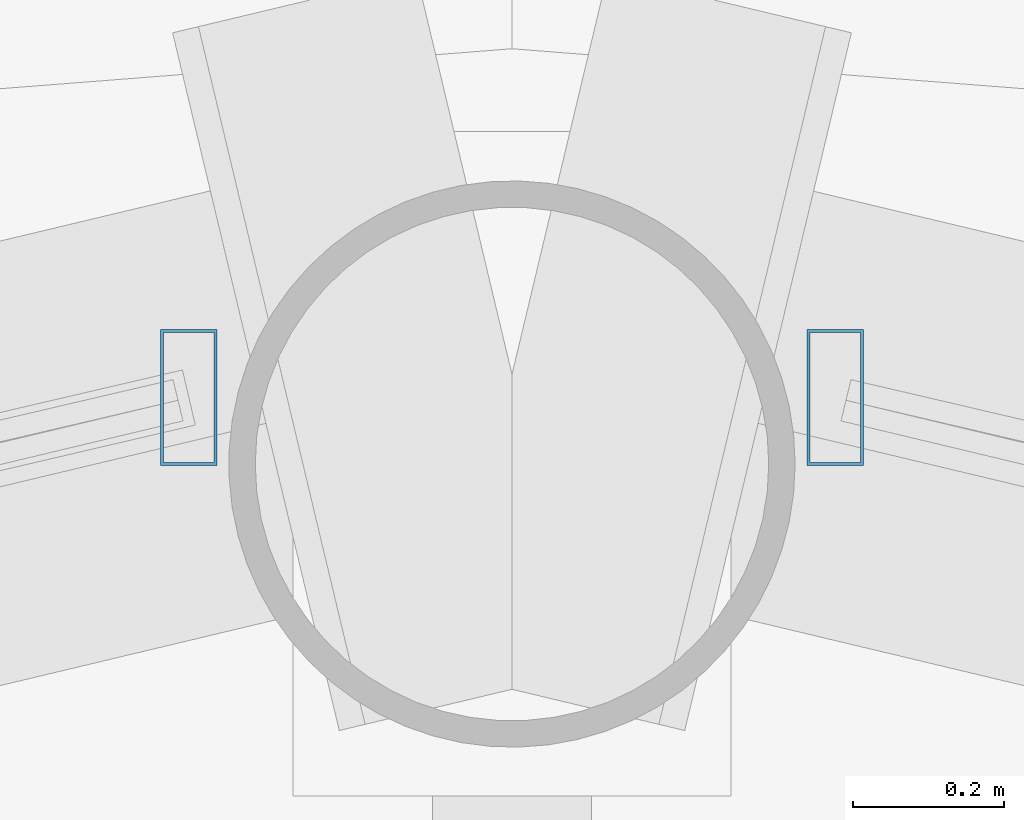
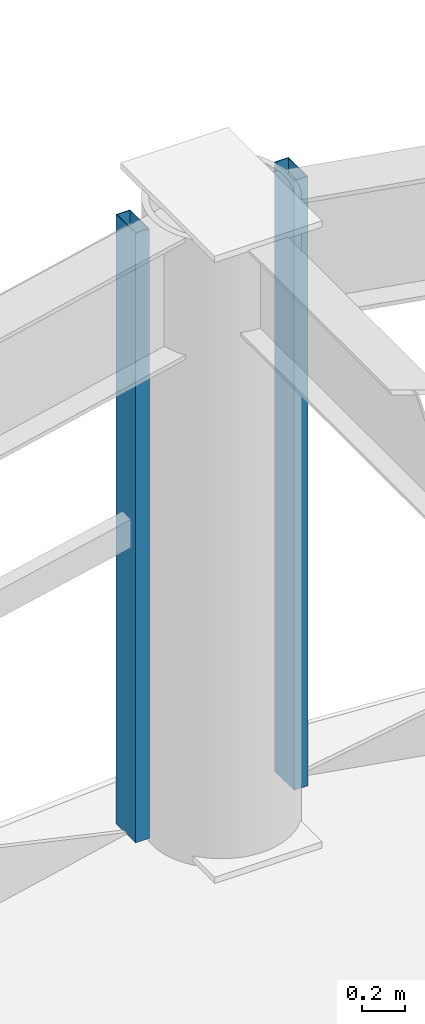
# One storey, part 17 of 30: 2 members, 2 elements without a shape of their own.
"""IFC4 building model written with IfcOpenShell, lengths in metres."""

from ifc_helpers import new_model, si_unit, direction, frame, origin, origin_2d, place, context, subcontext, project, spatial, hollow_rectangle, extrude, material, layer, layer_set, material_profile, profile_set, type_object, element, aggregate, save


model = new_model("IFC4")

# Units and contexts
model_context = context("Model", 3, precision=1e-05, world=origin(), true_north=direction((0.0, 1.0)))
body_context = subcontext(model_context, "Body", "Model", "MODEL_VIEW")
ifc_project = project(units=[si_unit("LENGTHUNIT", "METRE"), si_unit("AREAUNIT", "SQUARE_METRE"), si_unit("VOLUMEUNIT", "CUBIC_METRE"), si_unit("PLANEANGLEUNIT", "RADIAN"), si_unit("MASSUNIT", "GRAM", prefix="KILO")], contexts=[model_context])

# Site, building, storey
site_placement = place(None, origin())
site = spatial("IfcSite", under=ifc_project, at=site_placement, CompositionType="ELEMENT")
building_placement = place(site_placement, origin())
building = spatial("IfcBuilding", under=site, at=building_placement, Name="Vantalir Tower", CompositionType="ELEMENT")
storey_placement = place(building_placement, frame((0.0, 0.0, 119.699951171875)))
storey = spatial("IfcBuildingStorey", under=building, at=storey_placement, Name="L29", CompositionType="ELEMENT", Elevation=119.699951171875)

# Curtain wall, member
ifc_material_1 = material(Name="Champagne-silver PVDF aluminium and double-silver Low-E glass", Category="aluminium")
ifc_layer = layer(ifc_material_1, 0.199951171875)
ifc_layer_set = layer_set([ifc_layer], Name="Champagne-silver PVDF aluminium and double-silver Low-E glass")
curtain_wall_type = type_object("IfcCurtainWallType", Name="CW-DIAMOND-Z2", PredefinedType="USERDEFINED", material=ifc_layer_set)
curtain_wall_1_placement = place(storey_placement, origin())
curtain_wall_1 = element("IfcCurtainWall", 1, at=curtain_wall_1_placement, inside=storey, type_object=curtain_wall_type, Name="L29 Quilted Pyramid-Diamond Curtain Wall S03", ObjectType="UNITISED CURTAIN WALL", PredefinedType="USERDEFINED")
ifc_material_2 = material(Name="Champagne-silver PVDF aluminium 6063-T6", Category="aluminium")
ifc_material_profile = material_profile(ifc_material_2, hollow_rectangle(XDim=0.074951171875, YDim=0.179931640625, WallThickness=0.00390625, at=origin_2d()), Name="Champagne-silver PVDF aluminium 6063-T6")
ifc_profile_set = profile_set([ifc_material_profile], Name="Champagne-silver PVDF aluminium 6063-T6")
member_type = type_object("IfcMemberType", Name="CWM-180x75", PredefinedType="MULLION", material=ifc_profile_set)
member_1_placement = place(storey_placement, frame((31.927978515625, 47.654052734375, 0.045166015625), z_axis=(0.0, 0.0, 1.0), x_axis=(1.0, 0.0, 0.0)))
member_1 = element("IfcMember", 2, at=member_1_placement, type_object=member_type, Name="CW-L29-S03 Mullion 2", PredefinedType="MULLION", context=body_context, shape_type="SweptSolid", body=[
    extrude(hollow_rectangle(XDim=0.074951171875, YDim=0.179931640625, WallThickness=0.00390625, at=origin_2d()), origin(), (0.0, 0.0, 1.0), 3.47998046875),
])
aggregate(curtain_wall_1, [member_1])

curtain_wall_2_placement = place(storey_placement, origin())
curtain_wall_2 = element("IfcCurtainWall", 3, at=curtain_wall_2_placement, inside=storey, type_object=curtain_wall_type, Name="L29 Quilted Pyramid-Diamond Curtain Wall S04", ObjectType="UNITISED CURTAIN WALL", PredefinedType="USERDEFINED")
member_2_placement = place(storey_placement, frame((31.072021484375, 47.654052734375, 0.045166015625), z_axis=(0.0, 0.0, 1.0), x_axis=(1.0, 0.0, 0.0)))
member_2 = element("IfcMember", 4, at=member_2_placement, type_object=member_type, Name="CW-L29-S04 Mullion 1", PredefinedType="MULLION", context=body_context, shape_type="SweptSolid", body=[
    extrude(hollow_rectangle(XDim=0.074951171875, YDim=0.179931640625, WallThickness=0.00390625, at=origin_2d()), origin(), (0.0, 0.0, 1.0), 3.47998046875),
])
aggregate(curtain_wall_2, [member_2])

save(model, "model.ifc")
